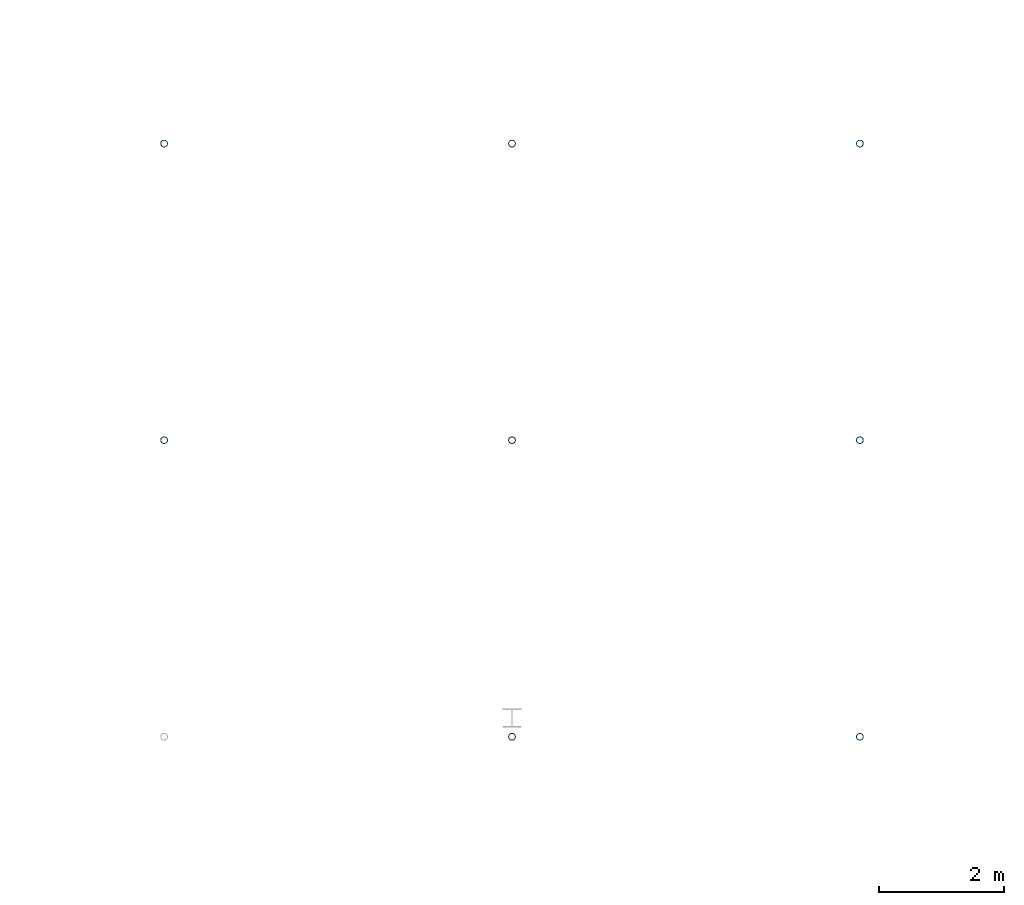
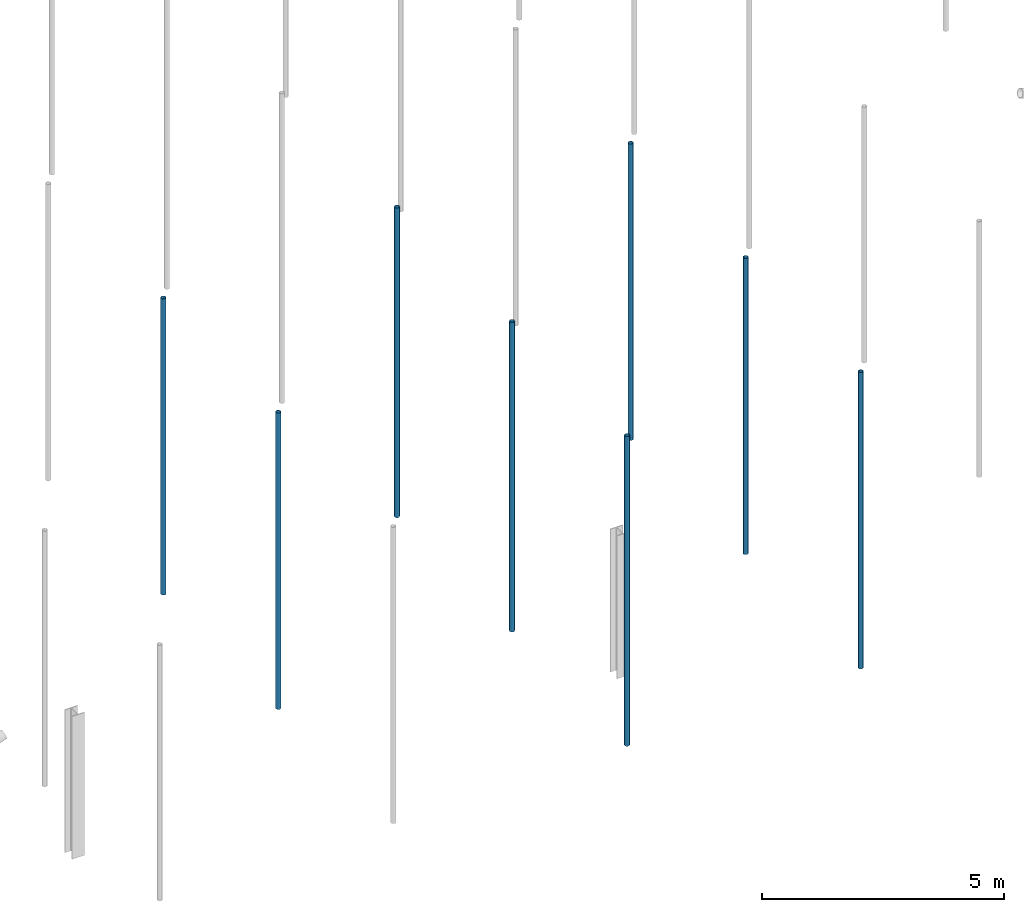
# One storey, part 9 of 50: 8 members.
"""IFC4 building model written with IfcOpenShell, lengths in metres."""

from ifc_helpers import new_model, si_unit, direction, frame, origin, origin_2d, place, context, subcontext, project, spatial, hollow_circle, extrude, material, material_profile, profile_set, type_object, element, save


model = new_model("IFC4")

# Units and contexts
model_context = context("Model", 3, precision=1e-05, world=origin(), true_north=direction((0.0, 1.0)))
body_context = subcontext(model_context, "Body", "Model", "MODEL_VIEW")
ifc_project = project(units=[si_unit("LENGTHUNIT", "METRE"), si_unit("AREAUNIT", "SQUARE_METRE"), si_unit("VOLUMEUNIT", "CUBIC_METRE"), si_unit("PLANEANGLEUNIT", "RADIAN"), si_unit("MASSUNIT", "GRAM", prefix="KILO")], contexts=[model_context])

# Site, building, storey
site_placement = place(None, origin())
site = spatial("IfcSite", under=ifc_project, at=site_placement, CompositionType="ELEMENT")
building_placement = place(site_placement, origin())
building = spatial("IfcBuilding", under=site, at=building_placement, Name="Elbe Cascade School", CompositionType="ELEMENT")
storey_placement = place(building_placement, frame((0.0, 0.0, 15.300048828125)))
storey = spatial("IfcBuildingStorey", under=building, at=storey_placement, Name="L04", CompositionType="ELEMENT", Elevation=15.300048828125)

# Members
ifc_material = material(Name="Steel S355J2H", Category="steel")
ifc_material_profile = material_profile(ifc_material, hollow_circle(Radius=0.05712890625, WallThickness=0.00634765625, at=origin_2d()), Name="CHS 114.3x6.3")
ifc_profile_set = profile_set([ifc_material_profile], Name="Steel S355J2H")
member_type = type_object("IfcMemberType", Name="Hall tie hanger CHS 114.3x6.3", PredefinedType="POST", material=ifc_profile_set)
member_1_placement = place(storey_placement, frame((34.0, 41.0, -1.623779296875), z_axis=(0.0, 0.0, 1.0), x_axis=(1.0, 0.0, 0.0)))
element("IfcMember", 1, at=member_1_placement, inside=storey, type_object=member_type, Name="Hall tie hanger CHS 114.3x6.3 M7", PredefinedType="POST", context=body_context, shape_type="SweptSolid", body=[
    extrude(hollow_circle(Radius=0.05712890625, WallThickness=0.00634765625, at=origin_2d()), origin(), (0.0, 0.0, 1.0), 7.80615234375),
])
for number, where, z_axis, x_axis, name in (
    (2, (39.571533203125, 41.0, -1.623779296875), (0.0, 0.0, 1.0), (1.0, 0.0, 0.0), "Hall tie hanger CHS 114.3x6.3 M7"),
    (3, (28.428466796875, 45.75, -1.623779296875), (0.0, 0.0, 1.0), (1.0, 0.0, 0.0), "Hall tie hanger CHS 114.3x6.3 M7"),
):
    element("IfcMember", number, at=place(storey_placement, frame(where, z_axis=z_axis, x_axis=x_axis)), inside=storey, type_object=member_type, Name=name, PredefinedType="POST", context=body_context, shape_type="SweptSolid", body=[
        extrude(hollow_circle(Radius=0.05712890625, WallThickness=0.00634765625, at=origin_2d()), origin(), (0.0, 0.0, 1.0), 7.468505859375),
    ])
member_2_placement = place(storey_placement, frame((34.0, 45.75, -1.623779296875), z_axis=(0.0, 0.0, 1.0), x_axis=(1.0, 0.0, 0.0)))
element("IfcMember", 4, at=member_2_placement, inside=storey, type_object=member_type, Name="Hall tie hanger CHS 114.3x6.3 M7", PredefinedType="POST", context=body_context, shape_type="SweptSolid", body=[
    extrude(hollow_circle(Radius=0.05712890625, WallThickness=0.00634765625, at=origin_2d()), origin(), (0.0, 0.0, 1.0), 7.80615234375),
])
for number, where, z_axis, x_axis, name in (
    (5, (39.571533203125, 45.75, -1.623779296875), (0.0, 0.0, 1.0), (1.0, 0.0, 0.0), "Hall tie hanger CHS 114.3x6.3 M7"),
    (6, (28.428466796875, 50.5, -1.623779296875), (0.0, 0.0, 1.0), (1.0, 0.0, 0.0), "Hall tie hanger CHS 114.3x6.3 M7"),
):
    element("IfcMember", number, at=place(storey_placement, frame(where, z_axis=z_axis, x_axis=x_axis)), inside=storey, type_object=member_type, Name=name, PredefinedType="POST", context=body_context, shape_type="SweptSolid", body=[
        extrude(hollow_circle(Radius=0.05712890625, WallThickness=0.00634765625, at=origin_2d()), origin(), (0.0, 0.0, 1.0), 7.468505859375),
    ])
member_3_placement = place(storey_placement, frame((34.0, 50.5, -1.623779296875), z_axis=(0.0, 0.0, 1.0), x_axis=(1.0, 0.0, 0.0)))
element("IfcMember", 7, at=member_3_placement, inside=storey, type_object=member_type, Name="Hall tie hanger CHS 114.3x6.3 M7", PredefinedType="POST", context=body_context, shape_type="SweptSolid", body=[
    extrude(hollow_circle(Radius=0.05712890625, WallThickness=0.00634765625, at=origin_2d()), origin(), (0.0, 0.0, 1.0), 7.80615234375),
])
member_4_placement = place(storey_placement, frame((39.571533203125, 50.5, -1.623779296875), z_axis=(0.0, 0.0, 1.0), x_axis=(1.0, 0.0, 0.0)))
element("IfcMember", 8, at=member_4_placement, inside=storey, type_object=member_type, Name="Hall tie hanger CHS 114.3x6.3 M7", PredefinedType="POST", context=body_context, shape_type="SweptSolid", body=[
    extrude(hollow_circle(Radius=0.05712890625, WallThickness=0.00634765625, at=origin_2d()), origin(), (0.0, 0.0, 1.0), 7.468505859375),
])

save(model, "model.ifc")
